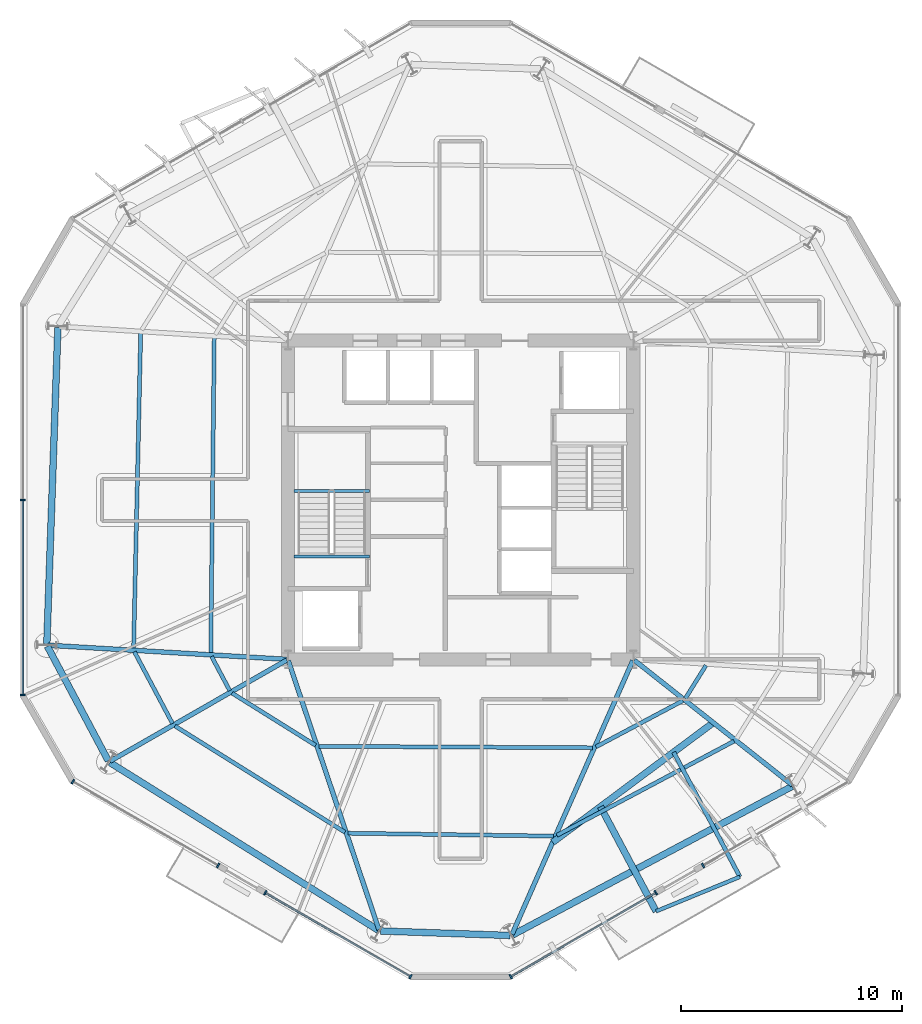
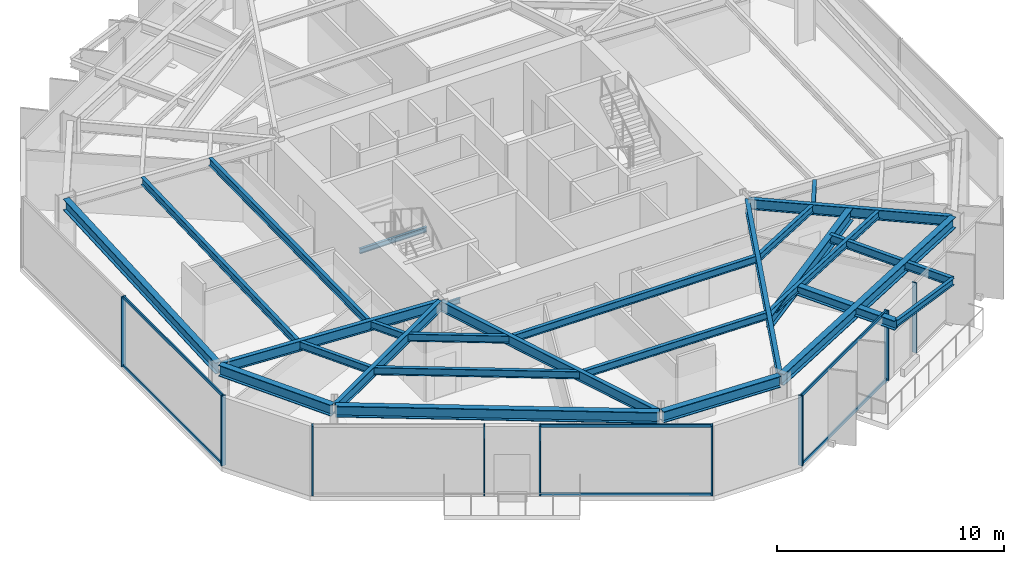
# One storey, part 2 of 11: 27 beams, 15 members, 5 elements without a shape of their own.
"""IFC4 building model written with IfcOpenShell, lengths in metres."""

import ifcopenshell
import ifcopenshell.guid

model = None  # the IFC model being written
_history = None  # IfcOwnerHistory: only IFC2X3 demands one
_inside = {}  # id of a spatial element -> (the spatial element, [elements in it])
_under = {}  # id of a project, library or spatial element -> (it, [spatial elements below it])
_declared = {}  # id of a project -> (the project, [libraries it declares])
_typed = {}  # id of a type object -> (the type object, [elements of that type])
_made_of = {}  # id of a material, layer set ... -> (it, [elements and type objects made of it])


def new_model(schema):
    """Start an empty IFC model of exactly this schema.

    Asked for "IFC4X3", IfcOpenShell would pick the latest addendum, in which some entities
    have other attributes; the version numbers below select the first issue.
    IFC2X3 requires an IfcOwnerHistory on every rooted entity: one is made here for all.
    """
    global model, _history
    if schema == "IFC4X3":
        model = ifcopenshell.file(schema_version=(4, 3, 0, 0))
    else:
        model = ifcopenshell.file(schema=schema)
    _inside.clear()
    _under.clear()
    _declared.clear()
    _typed.clear()
    _made_of.clear()
    _history = None
    if model.schema == "IFC2X3":
        org = make("IfcOrganization", Name="unknown")
        user = make(
            "IfcPersonAndOrganization",
            ThePerson=make("IfcPerson", FamilyName="unknown"),
            TheOrganization=org,
        )
        app = make(
            "IfcApplication",
            ApplicationDeveloper=org,
            Version="unknown",
            ApplicationFullName="unknown",
            ApplicationIdentifier="unknown",
        )
        _history = make(
            "IfcOwnerHistory",
            OwningUser=user,
            OwningApplication=app,
            ChangeAction="ADDED",
            CreationDate=0,
        )
    return model


def make(cls, **values):
    """One entity of the class cls with the attributes given. An attribute that is None is left unset."""
    return model.create_entity(
        cls, **{name: value for name, value in values.items() if value is not None}
    )


def rooted(cls, **values):
    """An entity with a GlobalId (a new one), such as an element, a storey or a relation."""
    return make(cls, GlobalId=ifcopenshell.guid.new(), OwnerHistory=_history, **values)


def si_unit(unit_type, name, prefix=None):
    """IfcSIUnit, for example si_unit("LENGTHUNIT", "METRE", prefix="MILLI")."""
    return make("IfcSIUnit", UnitType=unit_type, Prefix=prefix, Name=name)


def assignment(units):
    """IfcUnitAssignment: the units of a project."""
    return None if units is None else make("IfcUnitAssignment", Units=units)


def point(xyz):
    """IfcCartesianPoint."""
    return None if xyz is None else make("IfcCartesianPoint", Coordinates=xyz)


def direction(xyz):
    """IfcDirection."""
    return None if xyz is None else make("IfcDirection", DirectionRatios=xyz)


def frame(location, z_axis=None, x_axis=None):
    """IfcAxis2Placement3D, a coordinate frame: its origin and axes. An axis left out is left unset."""
    return make(
        "IfcAxis2Placement3D",
        Location=point(location),
        Axis=direction(z_axis),
        RefDirection=direction(x_axis),
    )


def frame_2d(location, x_axis=None):
    """IfcAxis2Placement2D, a coordinate frame in the plane: its origin and x axis."""
    return make(
        "IfcAxis2Placement2D", Location=point(location), RefDirection=direction(x_axis)
    )


def origin():
    """The frame at (0, 0, 0) with its axes left unset."""
    return frame((0.0, 0.0, 0.0))


def origin_2d():
    """The frame at (0, 0) in the plane with its x axis left unset."""
    return frame_2d((0.0, 0.0))


def place(relative_to, where):
    """IfcLocalPlacement: puts the frame where relative to a parent placement (None: the world)."""
    return make(
        "IfcLocalPlacement", PlacementRelTo=relative_to, RelativePlacement=where
    )


def context(
    kind, dimensions, precision=None, world=None, true_north=None, identifier=None
):
    """IfcGeometricRepresentationContext, for example the 3D "Model" context."""
    return make(
        "IfcGeometricRepresentationContext",
        ContextIdentifier=identifier,
        ContextType=kind,
        CoordinateSpaceDimension=dimensions,
        Precision=precision,
        WorldCoordinateSystem=world,
        TrueNorth=true_north,
    )


def subcontext(parent, identifier, kind, view, scale=None):
    """IfcGeometricRepresentationSubContext, for example "Body" below "Model"."""
    return make(
        "IfcGeometricRepresentationSubContext",
        ContextIdentifier=identifier,
        ContextType=kind,
        ParentContext=parent,
        TargetScale=scale,
        TargetView=view,
    )


def project(units=None, contexts=None):
    """IfcProject with its units and contexts."""
    return rooted(
        "IfcProject",
        Name="project",
        RepresentationContexts=contexts,
        UnitsInContext=assignment(units),
    )


def spatial(cls, under=None, at=None, **own):
    """A site, building, storey or space (cls), placed at a placement, below another one or the project."""
    s = rooted(cls, ObjectPlacement=at, **own)
    if under is not None:
        _under.setdefault(under.id(), (under, []))[1].append(s)
    return s


def profile(cls, at=None, kind="AREA", **sizes):
    """A parametric profile (cls). Its sizes go by their IFC names, for example OverallWidth=200.0."""
    return make(cls, ProfileType=kind, Position=at, **sizes)


def rectangle(**sizes):
    """IfcRectangleProfileDef."""
    return profile("IfcRectangleProfileDef", **sizes)


def i_section(**sizes):
    """IfcIShapeProfileDef."""
    return profile("IfcIShapeProfileDef", **sizes)


def extrude(swept, where, along, depth):
    """IfcExtrudedAreaSolid: the profile swept, set in the frame where, extruded along a direction by depth."""
    return make(
        "IfcExtrudedAreaSolid",
        SweptArea=swept,
        Position=where,
        ExtrudedDirection=direction(along),
        Depth=depth,
    )


def shape(context_of_items, identifier, shape_type, items):
    """IfcShapeRepresentation: the items that make up one representation, for example the "Body"."""
    return make(
        "IfcShapeRepresentation",
        ContextOfItems=context_of_items,
        RepresentationIdentifier=identifier,
        RepresentationType=shape_type,
        Items=items,
    )


def material(Name=None, Category=None):
    """IfcMaterial."""
    return make("IfcMaterial", Name=Name, Category=Category)


def layer(
    of_material, thickness, ventilated=None, Name=None, Category=None, Priority=None
):
    """IfcMaterialLayer: one layer of a wall or slab, of a material (None: an air gap)."""
    return make(
        "IfcMaterialLayer",
        Material=of_material,
        LayerThickness=thickness,
        IsVentilated=ventilated,
        Name=Name,
        Category=Category,
        Priority=Priority,
    )


def layer_set(layers, Name=None):
    """IfcMaterialLayerSet."""
    return make("IfcMaterialLayerSet", MaterialLayers=layers, LayerSetName=Name)


def material_profile(
    of_material, cross_section, Name=None, Category=None, Priority=None
):
    """IfcMaterialProfile: a cross section and its material."""
    return make(
        "IfcMaterialProfile",
        Name=Name,
        Material=of_material,
        Profile=cross_section,
        Priority=Priority,
        Category=Category,
    )


def profile_set(profiles, Name=None, composite=None):
    """IfcMaterialProfileSet."""
    return make(
        "IfcMaterialProfileSet",
        Name=Name,
        MaterialProfiles=profiles,
        CompositeProfile=composite,
    )


def made_of(thing, what):
    """Note that an element or type object is made of a material, layer set ...; save() writes the relation."""
    if what is not None:
        _made_of.setdefault(what.id(), (what, []))[1].append(thing)
    return thing


def type_object(cls, material=None, **own):
    """A type object (cls), such as IfcWallType, which elements share."""
    return made_of(rooted(cls, **own), material)


def element(
    cls,
    number,
    at=None,
    inside=None,
    cuts=None,
    type_object=None,
    material=None,
    context=None,
    identifier="Body",
    shape_type=None,
    held_by="IfcProductDefinitionShape",
    body=None,
    shapes=None,
    **own,
):
    """One element of the class cls, such as IfcWall. Its Tag is "e" and its number.

    at: its placement. inside: the storey or other place that contains it. cuts: it is an
    opening in that element (IfcRelVoidsElement). A single representation is given by context,
    identifier, shape_type and body (its items); several are given by shapes. held_by: the class
    of the entity that holds the representations. save() writes the other relations.
    """
    e = rooted(cls, Tag="e%d" % number, ObjectPlacement=at, **own)
    if body is not None:
        shapes = [shape(context, identifier, shape_type, body)]
    if shapes is not None:
        e.Representation = make(held_by, Representations=shapes)
    if inside is not None:
        _inside.setdefault(inside.id(), (inside, []))[1].append(e)
    if cuts is not None:
        rooted(
            "IfcRelVoidsElement", RelatingBuildingElement=cuts, RelatedOpeningElement=e
        )
    if type_object is not None:
        _typed.setdefault(type_object.id(), (type_object, []))[1].append(e)
    return made_of(e, material)


def aggregate(whole, parts):
    """IfcRelAggregates: a whole, such as a stair, and the parts it consists of."""
    return rooted("IfcRelAggregates", RelatingObject=whole, RelatedObjects=parts)


def save(model, path):
    """Write the relations noted so far, then the file.

    IfcRelAggregates (storeys below a building ...), IfcRelContainedInSpatialStructure (elements
    in a storey), IfcRelDefinesByType, IfcRelAssociatesMaterial and IfcRelDeclares: one each for
    every whole, place, type object, material and project.
    """
    for whole, parts in _under.values():
        aggregate(whole, parts)
    for where, things in _inside.values():
        rooted(
            "IfcRelContainedInSpatialStructure",
            RelatedElements=things,
            RelatingStructure=where,
        )
    for kind, things in _typed.values():
        rooted("IfcRelDefinesByType", RelatedObjects=things, RelatingType=kind)
    for what, things in _made_of.values():
        rooted("IfcRelAssociatesMaterial", RelatedObjects=things, RelatingMaterial=what)
    for by, libraries in _declared.values():
        rooted("IfcRelDeclares", RelatingContext=by, RelatedDefinitions=libraries)
    model.write(path)


model = new_model("IFC4")

# Units and contexts
model_context = context("Model", 3, precision=1e-05, world=origin(), true_north=direction((0.0, 1.0)))
body_context = subcontext(model_context, "Body", "Model", "MODEL_VIEW")
ifc_project = project(units=[si_unit("LENGTHUNIT", "METRE"), si_unit("AREAUNIT", "SQUARE_METRE"), si_unit("VOLUMEUNIT", "CUBIC_METRE"), si_unit("PLANEANGLEUNIT", "RADIAN"), si_unit("MASSUNIT", "GRAM", prefix="KILO")], contexts=[model_context])

# Site, building, storey
site_placement = place(None, origin())
site = spatial("IfcSite", under=ifc_project, at=site_placement, CompositionType="ELEMENT")
building_placement = place(site_placement, origin())
building = spatial("IfcBuilding", under=site, at=building_placement, Name="Kranzbogen Civic Tower", CompositionType="ELEMENT")
storey_placement = place(building_placement, frame((0.0, 0.0, 142.39990234375)))
storey = spatial("IfcBuildingStorey", under=building, at=storey_placement, Name="L34", CompositionType="ELEMENT", Elevation=142.39990234375)

# Beam
ifc_material_1 = material(Name="Steel S355", Category="steel")
ifc_material_profile_1 = material_profile(ifc_material_1, i_section(OverallWidth=0.18994140625, OverallDepth=0.449951171875, WebThickness=0.009521484375, FlangeThickness=0.0146484375, at=origin_2d()), Name="IPE 450")
ifc_profile_set_1 = profile_set([ifc_material_profile_1], Name="Steel S355")
beam_type_1 = type_object("IfcBeamType", Name="Braced Terrace Edge Beam IPE 450", PredefinedType="BEAM", material=ifc_profile_set_1)
beam_1_placement = place(storey_placement, frame((34.623046875, 13.610107421875, 3.525146484375), z_axis=(0.469452922678, -0.882957503728, 0.0), x_axis=(0.882957503728, 0.469452922678, 0.0)))
element("IfcBeam", 1, at=beam_1_placement, inside=storey, type_object=beam_type_1, Name="L35 back-spanned terrace beam L35-TB1-2", PredefinedType="BEAM", context=body_context, shape_type="SweptSolid", body=[
    extrude(i_section(OverallWidth=0.18994140625, OverallDepth=0.449951171875, WebThickness=0.009521484375, FlangeThickness=0.0146484375, at=origin_2d()), origin(), (0.0, 0.0, 1.0), 6.375244140625),
])

# Curtain wall, members
ifc_material_2 = material(Name="Pale Anodised Aluminium", Category="aluminium")
ifc_layer = layer(ifc_material_2, 0.219970703125, Name="Pale Anodised Aluminium")
ifc_layer_set = layer_set([ifc_layer], Name="Pale Anodised Aluminium")
curtain_wall_type = type_object("IfcCurtainWallType", Name="Zone 2 Stick Curtain Wall System CW-03", PredefinedType="USERDEFINED", material=ifc_layer_set)
curtain_wall_1_placement = place(storey_placement, origin())
curtain_wall_1 = element("IfcCurtainWall", 2, at=curtain_wall_1_placement, inside=storey, type_object=curtain_wall_type, Name="L34 curtain wall CW-L34-F3", ObjectType="STICK CURTAIN WALL", PredefinedType="USERDEFINED")
ifc_material_profile_2 = material_profile(ifc_material_2, rectangle(XDim=0.074951171875, YDim=0.219970703125, at=origin_2d()), Name="ALU-M 75x220")
ifc_profile_set_2 = profile_set([ifc_material_profile_2], Name="Pale Anodised Aluminium")
member_type_1 = type_object("IfcMemberType", Name="Curtain Wall Mullion ALU-M 75x220", PredefinedType="MULLION", material=ifc_profile_set_2)
member_1_placement = place(storey_placement, frame((5.22802734375, 25.0, 0.0), z_axis=(0.0, 0.0, 1.0), x_axis=(0.0, -1.0, 0.0)))
member_1 = element("IfcMember", 3, at=member_1_placement, type_object=member_type_1, Name="CW-03 mullion 2", PredefinedType="MULLION", context=body_context, shape_type="SweptSolid", body=[
    extrude(rectangle(XDim=0.074951171875, YDim=0.219970703125, at=origin_2d()), origin(), (0.0, 0.0, 1.0), 3.760009765625),
])
member_2_placement = place(storey_placement, frame((5.22802734375, 16.196044921875, 0.0), z_axis=(0.0, 0.0, 1.0), x_axis=(0.0, -1.0, 0.0)))
member_2 = element("IfcMember", 4, at=member_2_placement, type_object=member_type_1, Name="CW-03 mullion 3", PredefinedType="MULLION", context=body_context, shape_type="SweptSolid", body=[
    extrude(rectangle(XDim=0.074951171875, YDim=0.219970703125, at=origin_2d()), origin(), (0.0, 0.0, 1.0), 3.760009765625),
])

curtain_wall_2_placement = place(storey_placement, origin())
curtain_wall_2 = element("IfcCurtainWall", 5, at=curtain_wall_2_placement, inside=storey, type_object=curtain_wall_type, Name="L34 curtain wall CW-L34-F4-S1", ObjectType="STICK CURTAIN WALL", PredefinedType="USERDEFINED")
member_3_placement = place(storey_placement, frame((7.489013671875, 12.279052734375, 0.0), z_axis=(0.0, 0.0, 1.0), x_axis=(0.865993641626, -0.500055009637, 0.0)))
member_3 = element("IfcMember", 6, at=member_3_placement, type_object=member_type_1, Name="CW-03 mullion 1", PredefinedType="MULLION", context=body_context, shape_type="SweptSolid", body=[
    extrude(rectangle(XDim=0.074951171875, YDim=0.219970703125, at=origin_2d()), origin(), (0.0, 0.0, 1.0), 3.760009765625),
])
member_4_placement = place(storey_placement, frame((14.049072265625, 8.490966796875, 0.0), z_axis=(0.0, 0.0, 1.0), x_axis=(0.865993641626, -0.500055009637, 0.0)))
member_4 = element("IfcMember", 7, at=member_4_placement, type_object=member_type_1, Name="CW-03 mullion 2", PredefinedType="MULLION", context=body_context, shape_type="SweptSolid", body=[
    extrude(rectangle(XDim=0.074951171875, YDim=0.219970703125, at=origin_2d()), origin(), (0.0, 0.0, 1.0), 3.760009765625),
])
aggregate(curtain_wall_2, [member_3, member_4])

curtain_wall_3_placement = place(storey_placement, origin())
curtain_wall_3 = element("IfcCurtainWall", 8, at=curtain_wall_3_placement, inside=storey, type_object=curtain_wall_type, Name="L34 curtain wall CW-L34-F4-S2", ObjectType="STICK CURTAIN WALL", PredefinedType="USERDEFINED")
member_5_placement = place(storey_placement, frame((16.178955078125, 7.260986328125, 0.0), z_axis=(0.0, 0.0, 1.0), x_axis=(0.866017611604, -0.500013496209, 0.0)))
member_5 = element("IfcMember", 9, at=member_5_placement, type_object=member_type_1, Name="CW-03 mullion 1", PredefinedType="MULLION", context=body_context, shape_type="SweptSolid", body=[
    extrude(rectangle(XDim=0.074951171875, YDim=0.219970703125, at=origin_2d()), origin(), (0.0, 0.0, 1.0), 3.760009765625),
])
member_6_placement = place(storey_placement, frame((22.738037109375, 3.47412109375, 0.0), z_axis=(0.0, 0.0, 1.0), x_axis=(0.866017611604, -0.500013496209, 0.0)))
member_6 = element("IfcMember", 10, at=member_6_placement, type_object=member_type_1, Name="CW-03 mullion 2", PredefinedType="MULLION", context=body_context, shape_type="SweptSolid", body=[
    extrude(rectangle(XDim=0.074951171875, YDim=0.219970703125, at=origin_2d()), origin(), (0.0, 0.0, 1.0), 3.760009765625),
])

curtain_wall_4_placement = place(storey_placement, origin())
curtain_wall_4 = element("IfcCurtainWall", 11, at=curtain_wall_4_placement, inside=storey, type_object=curtain_wall_type, Name="L34 curtain wall CW-L34-F5-S1", ObjectType="STICK CURTAIN WALL", PredefinedType="USERDEFINED")
member_7_placement = place(storey_placement, frame((27.261962890625, 3.47412109375, 0.0), z_axis=(0.0, 0.0, 1.0), x_axis=(0.866017611604, 0.500013496209, 0.0)))
member_7 = element("IfcMember", 12, at=member_7_placement, type_object=member_type_1, Name="CW-03 mullion 1", PredefinedType="MULLION", context=body_context, shape_type="SweptSolid", body=[
    extrude(rectangle(XDim=0.074951171875, YDim=0.219970703125, at=origin_2d()), origin(), (0.0, 0.0, 1.0), 3.760009765625),
])
member_8_placement = place(storey_placement, frame((33.821044921875, 7.260986328125, 0.0), z_axis=(0.0, 0.0, 1.0), x_axis=(0.866017611604, 0.500013496209, 0.0)))
member_8 = element("IfcMember", 13, at=member_8_placement, type_object=member_type_1, Name="CW-03 mullion 2", PredefinedType="MULLION", context=body_context, shape_type="SweptSolid", body=[
    extrude(rectangle(XDim=0.074951171875, YDim=0.219970703125, at=origin_2d()), origin(), (0.0, 0.0, 1.0), 3.760009765625),
])

# Curtain wall, member
curtain_wall_5_placement = place(storey_placement, origin())
curtain_wall_5 = element("IfcCurtainWall", 14, at=curtain_wall_5_placement, inside=storey, type_object=curtain_wall_type, Name="L34 curtain wall CW-L34-F5-S2", ObjectType="STICK CURTAIN WALL", PredefinedType="USERDEFINED")
member_9_placement = place(storey_placement, frame((35.950927734375, 8.490966796875, 0.0), z_axis=(0.0, 0.0, 1.0), x_axis=(0.865993641626, 0.500055009637, 0.0)))
member_9 = element("IfcMember", 15, at=member_9_placement, type_object=member_type_1, Name="CW-03 mullion 1", PredefinedType="MULLION", context=body_context, shape_type="SweptSolid", body=[
    extrude(rectangle(XDim=0.074951171875, YDim=0.219970703125, at=origin_2d()), origin(), (0.0, 0.0, 1.0), 3.760009765625),
])
aggregate(curtain_wall_5, [member_9])

# Member
ifc_material_profile_3 = material_profile(ifc_material_2, rectangle(XDim=0.074951171875, YDim=0.1650390625, at=origin_2d()), Name="ALU-T 75x165")
ifc_profile_set_3 = profile_set([ifc_material_profile_3], Name="Pale Anodised Aluminium")
member_type_2 = type_object("IfcMemberType", Name="Curtain Wall Transom ALU-T 75x165", PredefinedType="USERDEFINED", material=ifc_profile_set_3)
member_10_placement = place(storey_placement, frame((5.22802734375, 24.969970703125, 0.030029296875), z_axis=(0.0, -1.0, 0.0), x_axis=(1.0, 0.0, 0.0)))
member_10 = element("IfcMember", 16, at=member_10_placement, type_object=member_type_2, Name="CW-03 transom 2.1", ObjectType="TRANSOM", PredefinedType="USERDEFINED", context=body_context, shape_type="SweptSolid", body=[
    extrude(rectangle(XDim=0.074951171875, YDim=0.1650390625, at=origin_2d()), origin(), (0.0, 0.0, 1.0), 8.743896484375),
])

member_11_placement = place(storey_placement, frame((5.22802734375, 24.969970703125, 3.72998046875), z_axis=(0.0, -1.0, 0.0), x_axis=(1.0, 0.0, 0.0)))
member_11 = element("IfcMember", 17, at=member_11_placement, type_object=member_type_2, Name="CW-03 transom 2.2", ObjectType="TRANSOM", PredefinedType="USERDEFINED", context=body_context, shape_type="SweptSolid", body=[
    extrude(rectangle(XDim=0.074951171875, YDim=0.1650390625, at=origin_2d()), origin(), (0.0, 0.0, 1.0), 8.743896484375),
])

aggregate(curtain_wall_1, [member_1, member_2, member_10, member_11])

member_12_placement = place(storey_placement, frame((16.205078125, 7.24609375, 0.030029296875), z_axis=(0.866012976267, -0.500021524473, 0.0), x_axis=(0.500021524473, 0.866012976267, 0.0)))
member_12 = element("IfcMember", 18, at=member_12_placement, type_object=member_type_2, Name="CW-03 transom 1.1", ObjectType="TRANSOM", PredefinedType="USERDEFINED", context=body_context, shape_type="SweptSolid", body=[
    extrude(rectangle(XDim=0.074951171875, YDim=0.1650390625, at=origin_2d()), origin(), (0.0, 0.0, 1.0), 7.513916015625),
])

member_13_placement = place(storey_placement, frame((16.205078125, 7.24609375, 3.72998046875), z_axis=(0.866012976267, -0.500021524473, 0.0), x_axis=(0.500021524473, 0.866012976267, 0.0)))
member_13 = element("IfcMember", 19, at=member_13_placement, type_object=member_type_2, Name="CW-03 transom 1.2", ObjectType="TRANSOM", PredefinedType="USERDEFINED", context=body_context, shape_type="SweptSolid", body=[
    extrude(rectangle(XDim=0.074951171875, YDim=0.1650390625, at=origin_2d()), origin(), (0.0, 0.0, 1.0), 7.513916015625),
])

aggregate(curtain_wall_3, [member_5, member_6, member_12, member_13])

member_14_placement = place(storey_placement, frame((27.287841796875, 3.489013671875, 0.030029296875), z_axis=(0.866012976267, 0.500021524473, 0.0), x_axis=(-0.500021524473, 0.866012976267, 0.0)))
member_14 = element("IfcMember", 20, at=member_14_placement, type_object=member_type_2, Name="CW-03 transom 1.1", ObjectType="TRANSOM", PredefinedType="USERDEFINED", context=body_context, shape_type="SweptSolid", body=[
    extrude(rectangle(XDim=0.074951171875, YDim=0.1650390625, at=origin_2d()), origin(), (0.0, 0.0, 1.0), 7.513916015625),
])

member_15_placement = place(storey_placement, frame((27.287841796875, 3.489013671875, 3.72998046875), z_axis=(0.866012976267, 0.500021524473, 0.0), x_axis=(-0.500021524473, 0.866012976267, 0.0)))
member_15 = element("IfcMember", 21, at=member_15_placement, type_object=member_type_2, Name="CW-03 transom 1.2", ObjectType="TRANSOM", PredefinedType="USERDEFINED", context=body_context, shape_type="SweptSolid", body=[
    extrude(rectangle(XDim=0.074951171875, YDim=0.1650390625, at=origin_2d()), origin(), (0.0, 0.0, 1.0), 7.513916015625),
])

aggregate(curtain_wall_4, [member_7, member_8, member_14, member_15])

# Beams
ifc_material_profile_4 = material_profile(ifc_material_1, i_section(OverallWidth=0.300048828125, OverallDepth=0.5, WebThickness=0.014404296875, FlangeThickness=0.028076171875, at=origin_2d()), Name="HEB 500")
ifc_profile_set_4 = profile_set([ifc_material_profile_4], Name="Steel S355")
beam_type_2 = type_object("IfcBeamType", Name="Perimeter Tube Spandrel Beam HEB 500", PredefinedType="SPANDREL", material=ifc_profile_set_4)
beam_2_placement = place(storey_placement, frame((31.318115234375, 11.14697265625, 3.5), z_axis=(0.469505507757, -0.882929543161, 0.0), x_axis=(0.882929543161, 0.469505507757, 0.0)))
element("IfcBeam", 22, at=beam_2_placement, inside=storey, type_object=beam_type_2, Name="L35 back-spanned terrace beam L35-TB1-1", PredefinedType="SPANDREL", context=body_context, shape_type="SweptSolid", body=[
    extrude(i_section(OverallWidth=0.300048828125, OverallDepth=0.5, WebThickness=0.014404296875, FlangeThickness=0.028076171875, at=origin_2d()), origin(), (0.0, 0.0, 1.0), 5.350341796875),
])
ifc_material_profile_5 = material_profile(ifc_material_1, i_section(OverallWidth=0.300048828125, OverallDepth=0.60009765625, WebThickness=0.015380859375, FlangeThickness=0.030029296875, at=origin_2d()), Name="HEB 600")
ifc_profile_set_5 = profile_set([ifc_material_profile_5], Name="Steel S355")
beam_type_3 = type_object("IfcBeamType", Name="Perimeter Tube Spandrel Beam HEB 600", PredefinedType="SPANDREL", material=ifc_profile_set_5)
beam_3_placement = place(storey_placement, frame((6.337890625, 18.39111328125, 3.460205078125), z_axis=(0.469565926668, -0.882897412224, 0.0), x_axis=(0.882897412224, 0.469565926668, 0.0)))
element("IfcBeam", 23, at=beam_3_placement, inside=storey, type_object=beam_type_3, Name="L34 perimeter spandrel beam 01", PredefinedType="SPANDREL", context=body_context, shape_type="SweptSolid", body=[
    extrude(i_section(OverallWidth=0.300048828125, OverallDepth=0.60009765625, WebThickness=0.015380859375, FlangeThickness=0.030029296875, at=origin_2d()), origin(), (0.0, 0.0, 1.0), 5.852294921875),
])
beam_4_placement = place(storey_placement, frame((9.1650390625, 13.138916015625, 3.460205078125), z_axis=(0.848051101349, -0.52991445489, 0.0), x_axis=(0.52991445489, 0.848051101349, 0.0)))
element("IfcBeam", 24, at=beam_4_placement, inside=storey, type_object=beam_type_3, Name="L34 perimeter spandrel beam 02", PredefinedType="SPANDREL", context=body_context, shape_type="SweptSolid", body=[
    extrude(i_section(OverallWidth=0.300048828125, OverallDepth=0.60009765625, WebThickness=0.015380859375, FlangeThickness=0.030029296875, at=origin_2d()), origin(), (0.0, 0.0, 1.0), 14.286865234375),
])
beam_5_placement = place(storey_placement, frame((21.39208984375, 5.533935546875, 3.460205078125), z_axis=(0.999393148233, -0.03483296234, 0.0), x_axis=(0.03483296234, 0.999393148233, 0.0)))
element("IfcBeam", 25, at=beam_5_placement, inside=storey, type_object=beam_type_3, Name="L34 perimeter spandrel beam 03", PredefinedType="SPANDREL", context=body_context, shape_type="SweptSolid", body=[
    extrude(i_section(OverallWidth=0.300048828125, OverallDepth=0.60009765625, WebThickness=0.015380859375, FlangeThickness=0.030029296875, at=origin_2d()), origin(), (0.0, 0.0, 1.0), 5.8525390625),
])
beam_6_placement = place(storey_placement, frame((27.35400390625, 5.35595703125, 3.460205078125), z_axis=(0.882948194046, 0.469470432116, 0.0), x_axis=(-0.469470432116, 0.882948194046, 0.0)))
element("IfcBeam", 26, at=beam_6_placement, inside=storey, type_object=beam_type_3, Name="L34 perimeter spandrel beam 04", PredefinedType="SPANDREL", context=body_context, shape_type="SweptSolid", body=[
    extrude(i_section(OverallWidth=0.300048828125, OverallDepth=0.60009765625, WebThickness=0.015380859375, FlangeThickness=0.030029296875, at=origin_2d()), origin(), (0.0, 0.0, 1.0), 14.28857421875),
])
beam_7_placement = place(storey_placement, frame((6.81103515625, 32.783935546875, 3.460205078125), z_axis=(-0.034924229103, -0.999389963038, 0.0), x_axis=(0.999389963038, -0.034924229103, 0.0)))
element("IfcBeam", 27, at=beam_7_placement, inside=storey, type_object=beam_type_3, Name="L34 perimeter spandrel beam 12", PredefinedType="SPANDREL", context=body_context, shape_type="SweptSolid", body=[
    extrude(i_section(OverallWidth=0.300048828125, OverallDepth=0.60009765625, WebThickness=0.015380859375, FlangeThickness=0.030029296875, at=origin_2d()), origin(), (0.0, 0.0, 1.0), 14.288818359375),
])
ifc_material_profile_6 = material_profile(ifc_material_1, i_section(OverallWidth=0.300048828125, OverallDepth=0.699951171875, WebThickness=0.01708984375, FlangeThickness=0.031982421875, at=origin_2d()), Name="HEB 700")
ifc_profile_set_6 = profile_set([ifc_material_profile_6], Name="Steel S355")
beam_type_4 = type_object("IfcBeamType", Name="Perimeter Tube Spandrel Beam HEB 700", PredefinedType="SPANDREL", material=ifc_profile_set_6)
beam_8_placement = place(storey_placement, frame((29.156982421875, 9.537109375, 3.400146484375), z_axis=(0.801896259305, 0.597463295369, 0.0), x_axis=(-0.597463295369, 0.801896259305, 0.0)))
element("IfcBeam", 28, at=beam_8_placement, inside=storey, type_object=beam_type_4, Name="L35 balcony back-span header girder L35-TB1", PredefinedType="SPANDREL", context=body_context, shape_type="SweptSolid", body=[
    extrude(i_section(OverallWidth=0.300048828125, OverallDepth=0.699951171875, WebThickness=0.01708984375, FlangeThickness=0.031982421875, at=origin_2d()), origin(), (0.0, 0.0, 1.0), 9.0498046875),
])
ifc_material_profile_7 = material_profile(ifc_material_1, i_section(OverallWidth=0.2099609375, OverallDepth=0.550048828125, WebThickness=0.010986328125, FlangeThickness=0.01708984375, at=origin_2d()), Name="IPE 550")
ifc_profile_set_7 = profile_set([ifc_material_profile_7], Name="Steel S355")
beam_type_5 = type_object("IfcBeamType", Name="Radial Tower Floor Girder IPE 550", PredefinedType="BEAM", material=ifc_profile_set_7)
beam_9_placement = place(storey_placement, frame((6.3701171875, 18.43994140625, 3.485107421875), z_axis=(0.998260925387, -0.058950189528, 0.0), x_axis=(0.058950189528, 0.998260925387, 0.0)))
element("IfcBeam", 29, at=beam_9_placement, inside=storey, type_object=beam_type_5, Name="L34 radial floor girder 01", PredefinedType="BEAM", context=body_context, shape_type="SweptSolid", body=[
    extrude(i_section(OverallWidth=0.2099609375, OverallDepth=0.550048828125, WebThickness=0.010986328125, FlangeThickness=0.01708984375, at=origin_2d()), origin(), (0.0, 0.0, 1.0), 10.78857421875),
])
beam_10_placement = place(storey_placement, frame((9.166015625, 13.200927734375, 3.485107421875), z_axis=(0.867868812182, 0.496793442833, 0.0), x_axis=(-0.496793442833, 0.867868812182, 0.0)))
element("IfcBeam", 30, at=beam_10_placement, inside=storey, type_object=beam_type_5, Name="L34 radial floor girder 02", PredefinedType="BEAM", context=body_context, shape_type="SweptSolid", body=[
    extrude(i_section(OverallWidth=0.2099609375, OverallDepth=0.550048828125, WebThickness=0.010986328125, FlangeThickness=0.01708984375, at=origin_2d()), origin(), (0.0, 0.0, 1.0), 9.197265625),
])
beam_11_placement = place(storey_placement, frame((21.31298828125, 5.593017578125, 3.485107421875), z_axis=(-0.319316617377, 0.947648087566, 0.0), x_axis=(-0.947648087566, -0.319316617377, 0.0)))
element("IfcBeam", 31, at=beam_11_placement, inside=storey, type_object=beam_type_5, Name="L34 radial floor girder 03", PredefinedType="BEAM", context=body_context, shape_type="SweptSolid", body=[
    extrude(i_section(OverallWidth=0.2099609375, OverallDepth=0.550048828125, WebThickness=0.010986328125, FlangeThickness=0.01708984375, at=origin_2d()), origin(), (0.0, 0.0, 1.0), 12.821044921875),
])
beam_12_placement = place(storey_placement, frame((27.324951171875, 5.383056640625, 3.485107421875), z_axis=(0.403459127705, 0.914997667905, 0.0), x_axis=(-0.914997667905, 0.403459127705, 0.0)))
element("IfcBeam", 32, at=beam_12_placement, inside=storey, type_object=beam_type_5, Name="L34 radial floor girder 04", PredefinedType="BEAM", context=body_context, shape_type="SweptSolid", body=[
    extrude(i_section(OverallWidth=0.2099609375, OverallDepth=0.550048828125, WebThickness=0.010986328125, FlangeThickness=0.01708984375, at=origin_2d()), origin(), (0.0, 0.0, 1.0), 13.510498046875),
])
beam_13_placement = place(storey_placement, frame((39.97607421875, 12.12890625, 3.485107421875), z_axis=(-0.78457455683, 0.620034486763, 0.0), x_axis=(-0.620034486763, -0.78457455683, 0.0)))
element("IfcBeam", 33, at=beam_13_placement, inside=storey, type_object=beam_type_5, Name="L34 radial floor girder 05", PredefinedType="BEAM", context=body_context, shape_type="SweptSolid", body=[
    extrude(i_section(OverallWidth=0.2099609375, OverallDepth=0.550048828125, WebThickness=0.010986328125, FlangeThickness=0.01708984375, at=origin_2d()), origin(), (0.0, 0.0, 1.0), 9.086669921875),
])
ifc_material_profile_8 = material_profile(ifc_material_1, i_section(OverallWidth=0.169921875, OverallDepth=0.360107421875, WebThickness=0.008056640625, FlangeThickness=0.0126953125, at=origin_2d()), Name="IPE 360")
ifc_profile_set_8 = profile_set([ifc_material_profile_8], Name="Steel S355")
beam_type_6 = type_object("IfcBeamType", Name="Secondary Composite Floor Joist IPE 360", PredefinedType="JOIST", material=ifc_profile_set_8)
beam_14_placement = place(storey_placement, frame((33.830078125, 6.423095703125, 3.570068359375), z_axis=(0.92476699713, 0.380533836892, 0.0), x_axis=(-0.380533836892, 0.92476699713, 0.0)))
element("IfcBeam", 34, at=beam_14_placement, inside=storey, type_object=beam_type_6, Name="L35 terrace outer edge trimmer L35-TB1", PredefinedType="JOIST", context=body_context, shape_type="SweptSolid", body=[
    extrude(i_section(OverallWidth=0.169921875, OverallDepth=0.360107421875, WebThickness=0.008056640625, FlangeThickness=0.0126953125, at=origin_2d()), origin(), (0.0, 0.0, 1.0), 4.093994140625),
])
ifc_material_profile_9 = material_profile(ifc_material_1, i_section(OverallWidth=0.179931640625, OverallDepth=0.39990234375, WebThickness=0.008544921875, FlangeThickness=0.013427734375, at=origin_2d()), Name="IPE 400")
ifc_profile_set_9 = profile_set([ifc_material_profile_9], Name="Steel S355")
beam_type_7 = type_object("IfcBeamType", Name="Secondary Composite Floor Joist IPE 400", PredefinedType="JOIST", material=ifc_profile_set_9)
beam_15_placement = place(storey_placement, frame((10.26806640625, 18.14208984375, 3.56005859375), z_axis=(0.469338791783, -0.88301817565, 0.0), x_axis=(0.88301817565, 0.469338791783, 0.0)))
element("IfcBeam", 35, at=beam_15_placement, inside=storey, type_object=beam_type_7, Name="L34 secondary floor joist 1.01", PredefinedType="JOIST", context=body_context, shape_type="SweptSolid", body=[
    extrude(i_section(OverallWidth=0.179931640625, OverallDepth=0.39990234375, WebThickness=0.008544921875, FlangeThickness=0.013427734375, at=origin_2d()), origin(), (0.0, 0.0, 1.0), 3.66259765625),
])
beam_16_placement = place(storey_placement, frame((13.7529296875, 17.93505859375, 3.56005859375), z_axis=(0.46943723363, -0.882965845139, 0.0), x_axis=(0.882965845139, 0.46943723363, 0.0)))
element("IfcBeam", 36, at=beam_16_placement, inside=storey, type_object=beam_type_7, Name="L34 secondary floor joist 2.01", PredefinedType="JOIST", context=body_context, shape_type="SweptSolid", body=[
    extrude(i_section(OverallWidth=0.179931640625, OverallDepth=0.39990234375, WebThickness=0.008544921875, FlangeThickness=0.013427734375, at=origin_2d()), origin(), (0.0, 0.0, 1.0), 1.7509765625),
])
beam_17_placement = place(storey_placement, frame((12.093017578125, 14.794921875, 3.56005859375), z_axis=(0.848025549308, -0.529955345026, 0.0), x_axis=(0.529955345026, 0.848025549308, 0.0)))
element("IfcBeam", 37, at=beam_17_placement, inside=storey, type_object=beam_type_7, Name="L34 secondary floor joist 1.02", PredefinedType="JOIST", context=body_context, shape_type="SweptSolid", body=[
    extrude(i_section(OverallWidth=0.179931640625, OverallDepth=0.39990234375, WebThickness=0.008544921875, FlangeThickness=0.013427734375, at=origin_2d()), origin(), (0.0, 0.0, 1.0), 9.06103515625),
])
beam_18_placement = place(storey_placement, frame((14.679931640625, 16.27587890625, 3.56005859375), z_axis=(0.848093834398, -0.529846060716, 0.0), x_axis=(0.529846060716, 0.848093834398, 0.0)))
element("IfcBeam", 38, at=beam_18_placement, inside=storey, type_object=beam_type_7, Name="L34 secondary floor joist 2.02", PredefinedType="JOIST", context=body_context, shape_type="SweptSolid", body=[
    extrude(i_section(OverallWidth=0.179931640625, OverallDepth=0.39990234375, WebThickness=0.008544921875, FlangeThickness=0.013427734375, at=origin_2d()), origin(), (0.0, 0.0, 1.0), 4.4501953125),
])
beam_19_placement = place(storey_placement, frame((19.924072265625, 9.949951171875, 3.56005859375), z_axis=(0.999900525148, -0.014104602386, 0.0), x_axis=(0.014104602386, 0.999900525148, 0.0)))
element("IfcBeam", 39, at=beam_19_placement, inside=storey, type_object=beam_type_7, Name="L34 secondary floor joist 1.03", PredefinedType="JOIST", context=body_context, shape_type="SweptSolid", body=[
    extrude(i_section(OverallWidth=0.179931640625, OverallDepth=0.39990234375, WebThickness=0.008544921875, FlangeThickness=0.013427734375, at=origin_2d()), origin(), (0.0, 0.0, 1.0), 9.27783203125),
])
beam_20_placement = place(storey_placement, frame((18.60205078125, 13.875, 3.56005859375), z_axis=(0.999985774147, -0.005333995002, 0.0), x_axis=(0.005333995002, 0.999985774147, 0.0)))
element("IfcBeam", 40, at=beam_20_placement, inside=storey, type_object=beam_type_7, Name="L34 secondary floor joist 2.03", PredefinedType="JOIST", context=body_context, shape_type="SweptSolid", body=[
    extrude(i_section(OverallWidth=0.179931640625, OverallDepth=0.39990234375, WebThickness=0.008544921875, FlangeThickness=0.013427734375, at=origin_2d()), origin(), (0.0, 0.0, 1.0), 12.358154296875),
])
beam_21_placement = place(storey_placement, frame((29.35107421875, 9.85498046875, 3.56005859375), z_axis=(0.882960787661, 0.469446746131, 0.0), x_axis=(-0.469446746131, 0.882960787661, 0.0)))
element("IfcBeam", 41, at=beam_21_placement, inside=storey, type_object=beam_type_7, Name="L34 secondary floor joist 1.04", PredefinedType="JOIST", context=body_context, shape_type="SweptSolid", body=[
    extrude(i_section(OverallWidth=0.179931640625, OverallDepth=0.39990234375, WebThickness=0.008544921875, FlangeThickness=0.013427734375, at=origin_2d()), origin(), (0.0, 0.0, 1.0), 9.0615234375),
])
beam_22_placement = place(storey_placement, frame((31.111083984375, 13.846923828125, 3.56005859375), z_axis=(0.882991399158, 0.469389165844, 0.0), x_axis=(-0.469389165844, 0.882991399158, 0.0)))
element("IfcBeam", 42, at=beam_22_placement, inside=storey, type_object=beam_type_7, Name="L34 secondary floor joist 2.04", PredefinedType="JOIST", context=body_context, shape_type="SweptSolid", body=[
    extrude(i_section(OverallWidth=0.179931640625, OverallDepth=0.39990234375, WebThickness=0.008544921875, FlangeThickness=0.013427734375, at=origin_2d()), origin(), (0.0, 0.0, 1.0), 4.45068359375),
])
beam_23_placement = place(storey_placement, frame((35.154052734375, 16.041015625, 3.56005859375), z_axis=(0.529572623603, 0.84826460278, 0.0), x_axis=(-0.84826460278, 0.529572623603, 0.0)))
element("IfcBeam", 43, at=beam_23_placement, inside=storey, type_object=beam_type_7, Name="L34 secondary floor joist 2.05", PredefinedType="JOIST", context=body_context, shape_type="SweptSolid", body=[
    extrude(i_section(OverallWidth=0.179931640625, OverallDepth=0.39990234375, WebThickness=0.008544921875, FlangeThickness=0.013427734375, at=origin_2d()), origin(), (0.0, 0.0, 1.0), 1.75048828125),
])
beam_24_placement = place(storey_placement, frame((10.551025390625, 32.531982421875, 3.56005859375), z_axis=(-0.022402523442, -0.999749031979, 0.0), x_axis=(0.999749031979, -0.022402523442, 0.0)))
element("IfcBeam", 44, at=beam_24_placement, inside=storey, type_object=beam_type_7, Name="L34 secondary floor joist 1.12", PredefinedType="JOIST", context=body_context, shape_type="SweptSolid", body=[
    extrude(i_section(OverallWidth=0.179931640625, OverallDepth=0.39990234375, WebThickness=0.008544921875, FlangeThickness=0.013427734375, at=origin_2d()), origin(), (0.0, 0.0, 1.0), 14.24365234375),
])
beam_25_placement = place(storey_placement, frame((13.875, 32.325927734375, 3.56005859375), z_axis=(-0.011160516663, -0.999937719494, 0.0), x_axis=(0.999937719494, -0.011160516663, 0.0)))
element("IfcBeam", 45, at=beam_25_placement, inside=storey, type_object=beam_type_7, Name="L34 secondary floor joist 2.12", PredefinedType="JOIST", context=body_context, shape_type="SweptSolid", body=[
    extrude(i_section(OverallWidth=0.179931640625, OverallDepth=0.39990234375, WebThickness=0.008544921875, FlangeThickness=0.013427734375, at=origin_2d()), origin(), (0.0, 0.0, 1.0), 14.240966796875),
])
ifc_material_profile_10 = material_profile(ifc_material_1, i_section(OverallWidth=0.135009765625, OverallDepth=0.27001953125, WebThickness=0.006591796875, FlangeThickness=0.01025390625, at=origin_2d()), Name="IPE 270")
ifc_profile_set_10 = profile_set([ifc_material_profile_10], Name="Steel S355")
beam_type_8 = type_object("IfcBeamType", Name="Stair Landing Support Beam IPE 270", PredefinedType="JOIST", material=ifc_profile_set_10)
for number, where, z_axis, x_axis, name in (
    (46, (20.8798828125, 22.43994140625, -0.375), (-1.0, 0.0, 0.0), (0.0, -1.0, 0.0), "L34 ST-T1 stair floor header beam"),
    (47, (20.8798828125, 25.39990234375, 1.6650390625), (-1.0, 0.0, 0.0), (0.0, -1.0, 0.0), "L34 ST-T1 landing support beam 1.1"),
):
    element("IfcBeam", number, at=place(storey_placement, frame(where, z_axis=z_axis, x_axis=x_axis)), inside=storey, type_object=beam_type_8, Name=name, PredefinedType="JOIST", context=body_context, shape_type="SweptSolid", body=[
        extrude(i_section(OverallWidth=0.135009765625, OverallDepth=0.27001953125, WebThickness=0.006591796875, FlangeThickness=0.01025390625, at=origin_2d()), origin(), (0.0, 0.0, 1.0), 3.409912109375),
    ])

save(model, "model.ifc")
